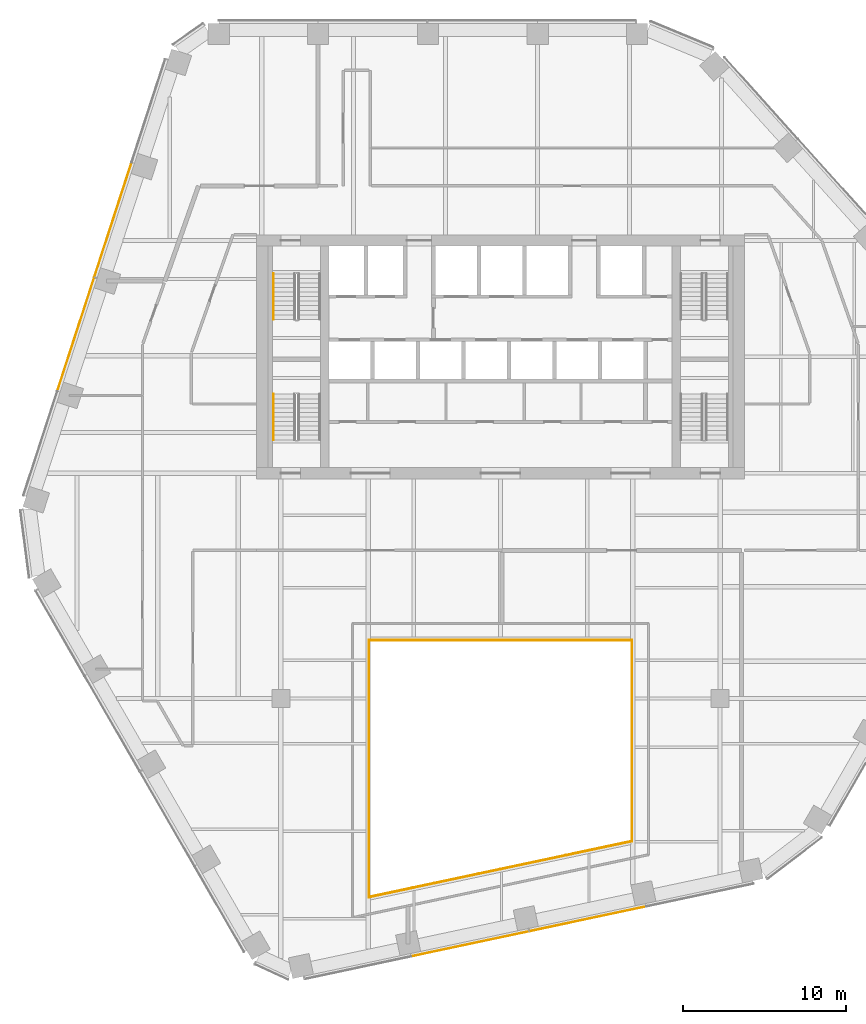
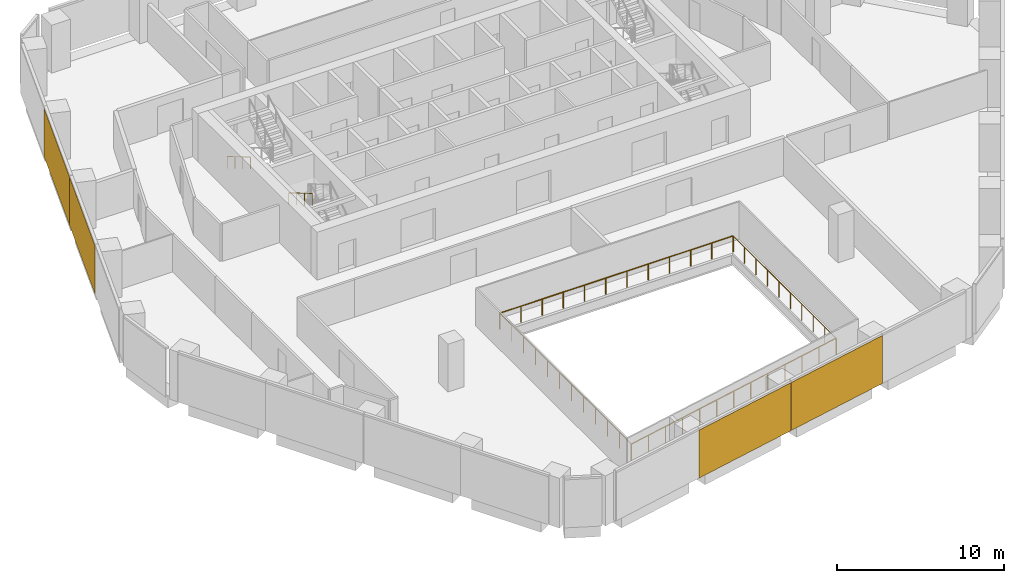
# One storey, part 15 of 17: 6 railings, 4 coverings, 2 elements without a shape of their own.
"""IFC4 building model written with IfcOpenShell, lengths in metres."""

from ifc_helpers import new_model, si_unit, direction, frame, origin, origin_2d, place, context, subcontext, project, spatial, rectangle, circle, extrude, material, layer, layer_set, type_object, element, aggregate, save


model = new_model("IFC4")

# Units and contexts
model_context = context("Model", 3, precision=1e-05, world=origin(), true_north=direction((0.0, 1.0)))
body_context = subcontext(model_context, "Body", "Model", "MODEL_VIEW")
ifc_project = project(units=[si_unit("LENGTHUNIT", "METRE"), si_unit("AREAUNIT", "SQUARE_METRE"), si_unit("VOLUMEUNIT", "CUBIC_METRE"), si_unit("PLANEANGLEUNIT", "RADIAN"), si_unit("MASSUNIT", "GRAM", prefix="KILO")], contexts=[model_context])

# Site, building, storey
site_placement = place(None, origin())
site = spatial("IfcSite", under=ifc_project, at=site_placement, CompositionType="ELEMENT")
building_placement = place(site_placement, origin())
building = spatial("IfcBuilding", under=site, at=building_placement, Name="Isthmus Gate Tower", CompositionType="ELEMENT")
storey_placement = place(building_placement, frame((0.0, 0.0, 181.75)))
storey = spatial("IfcBuildingStorey", under=building, at=storey_placement, Name="L45", CompositionType="ELEMENT", Elevation=181.75)

# Railings
ifc_material_1 = material(Name="Laminated toughened glass balustrade with steel rail", Category="steel")
railing_type_1 = type_object("IfcRailingType", Name="ATRIUM GUARD GLASS BALUSTRADE 1200", PredefinedType="GUARDRAIL", material=ifc_material_1)
railing_1_placement = place(storey_placement, frame((-8.080078125, -25.7099609375, 0.0)))
element("IfcRailing", 1, at=railing_1_placement, inside=storey, type_object=railing_type_1, Name="L45 atrium guard", PredefinedType="GUARDRAIL", context=body_context, shape_type="SweptSolid", body=[
    extrude(circle(Radius=0.02490234375, at=origin_2d()), frame((0.0, 0.0, 1.1748046875), z_axis=(0.0, 1.0, 0.0), x_axis=(-1.0, 0.0, 0.0)), (0.0, 0.0, 1.0), 15.7900390625),
    extrude(circle(Radius=0.02490234375, at=origin_2d()), origin(), (0.0, 0.0, 1.0), 1.14990234375),
    extrude(circle(Radius=0.02490234375, at=origin_2d()), frame((0.0, 1.435546875, 0.0)), (0.0, 0.0, 1.0), 1.14990234375),
    extrude(circle(Radius=0.02490234375, at=origin_2d()), frame((0.0, 2.870849609375, 0.0)), (0.0, 0.0, 1.0), 1.14990234375),
    extrude(circle(Radius=0.02490234375, at=origin_2d()), frame((0.0, 4.306396484375, 0.0)), (0.0, 0.0, 1.0), 1.14990234375),
    extrude(circle(Radius=0.02490234375, at=origin_2d()), frame((0.0, 5.741943359375, 0.0)), (0.0, 0.0, 1.0), 1.14990234375),
    extrude(circle(Radius=0.02490234375, at=origin_2d()), frame((0.0, 7.17724609375, 0.0)), (0.0, 0.0, 1.0), 1.14990234375),
    extrude(circle(Radius=0.02490234375, at=origin_2d()), frame((0.0, 8.61279296875, 0.0)), (0.0, 0.0, 1.0), 1.14990234375),
    extrude(circle(Radius=0.02490234375, at=origin_2d()), frame((0.0, 10.048095703125, 0.0)), (0.0, 0.0, 1.0), 1.14990234375),
    extrude(circle(Radius=0.02490234375, at=origin_2d()), frame((0.0, 11.483642578125, 0.0)), (0.0, 0.0, 1.0), 1.14990234375),
    extrude(circle(Radius=0.02490234375, at=origin_2d()), frame((0.0, 12.919189453125, 0.0)), (0.0, 0.0, 1.0), 1.14990234375),
    extrude(circle(Radius=0.02490234375, at=origin_2d()), frame((0.0, 14.3544921875, 0.0)), (0.0, 0.0, 1.0), 1.14990234375),
    extrude(circle(Radius=0.02490234375, at=origin_2d()), frame((0.0, 15.7900390625, 0.0)), (0.0, 0.0, 1.0), 1.14990234375),
])
railing_2_placement = place(storey_placement, frame((-8.080078125, -9.919921875, 0.0)))
element("IfcRailing", 2, at=railing_2_placement, inside=storey, type_object=railing_type_1, Name="L45 atrium guard", PredefinedType="GUARDRAIL", context=body_context, shape_type="SweptSolid", body=[
    extrude(circle(Radius=0.02490234375, at=origin_2d()), frame((0.0, 0.0, 1.1748046875), z_axis=(1.0, 0.0, 0.0), x_axis=(0.0, 1.0, 0.0)), (0.0, 0.0, 1.0), 16.16015625),
    extrude(circle(Radius=0.02490234375, at=origin_2d()), origin(), (0.0, 0.0, 1.0), 1.14990234375),
    extrude(circle(Radius=0.02490234375, at=origin_2d()), frame((1.468994140625, 0.0, 0.0)), (0.0, 0.0, 1.0), 1.14990234375),
    extrude(circle(Radius=0.02490234375, at=origin_2d()), frame((2.938232421875, 0.0, 0.0)), (0.0, 0.0, 1.0), 1.14990234375),
    extrude(circle(Radius=0.02490234375, at=origin_2d()), frame((4.4072265625, 0.0, 0.0)), (0.0, 0.0, 1.0), 1.14990234375),
    extrude(circle(Radius=0.02490234375, at=origin_2d()), frame((5.87646484375, 0.0, 0.0)), (0.0, 0.0, 1.0), 1.14990234375),
    extrude(circle(Radius=0.02490234375, at=origin_2d()), frame((7.345458984375, 0.0, 0.0)), (0.0, 0.0, 1.0), 1.14990234375),
    extrude(circle(Radius=0.02490234375, at=origin_2d()), frame((8.814697265625, 0.0, 0.0)), (0.0, 0.0, 1.0), 1.14990234375),
    extrude(circle(Radius=0.02490234375, at=origin_2d()), frame((10.28369140625, 0.0, 0.0)), (0.0, 0.0, 1.0), 1.14990234375),
    extrude(circle(Radius=0.02490234375, at=origin_2d()), frame((11.7529296875, 0.0, 0.0)), (0.0, 0.0, 1.0), 1.14990234375),
    extrude(circle(Radius=0.02490234375, at=origin_2d()), frame((13.221923828125, 0.0, 0.0)), (0.0, 0.0, 1.0), 1.14990234375),
    extrude(circle(Radius=0.02490234375, at=origin_2d()), frame((14.691162109375, 0.0, 0.0)), (0.0, 0.0, 1.0), 1.14990234375),
    extrude(circle(Radius=0.02490234375, at=origin_2d()), frame((16.16015625, 0.0, 0.0)), (0.0, 0.0, 1.0), 1.14990234375),
])
railing_3_placement = place(storey_placement, frame((8.080078125, -9.919921875, 0.0)))
element("IfcRailing", 3, at=railing_3_placement, inside=storey, type_object=railing_type_1, Name="L45 atrium guard", PredefinedType="GUARDRAIL", context=body_context, shape_type="SweptSolid", body=[
    extrude(circle(Radius=0.02490234375, at=origin_2d()), frame((0.0, 0.0, 1.1748046875), z_axis=(0.0, -1.0, 0.0), x_axis=(1.0, 0.0, 0.0)), (0.0, 0.0, 1.0), 12.35498046875),
    extrude(circle(Radius=0.02490234375, at=origin_2d()), origin(), (0.0, 0.0, 1.0), 1.14990234375),
    extrude(circle(Radius=0.02490234375, at=origin_2d()), frame((0.0, -1.372802734375, 0.0)), (0.0, 0.0, 1.0), 1.14990234375),
    extrude(circle(Radius=0.02490234375, at=origin_2d()), frame((0.0, -2.74560546875, 0.0)), (0.0, 0.0, 1.0), 1.14990234375),
    extrude(circle(Radius=0.02490234375, at=origin_2d()), frame((0.0, -4.118408203125, 0.0)), (0.0, 0.0, 1.0), 1.14990234375),
    extrude(circle(Radius=0.02490234375, at=origin_2d()), frame((0.0, -5.4912109375, 0.0)), (0.0, 0.0, 1.0), 1.14990234375),
    extrude(circle(Radius=0.02490234375, at=origin_2d()), frame((0.0, -6.86376953125, 0.0)), (0.0, 0.0, 1.0), 1.14990234375),
    extrude(circle(Radius=0.02490234375, at=origin_2d()), frame((0.0, -8.236572265625, 0.0)), (0.0, 0.0, 1.0), 1.14990234375),
    extrude(circle(Radius=0.02490234375, at=origin_2d()), frame((0.0, -9.609375, 0.0)), (0.0, 0.0, 1.0), 1.14990234375),
    extrude(circle(Radius=0.02490234375, at=origin_2d()), frame((0.0, -10.982177734375, 0.0)), (0.0, 0.0, 1.0), 1.14990234375),
    extrude(circle(Radius=0.02490234375, at=origin_2d()), frame((0.0, -12.35498046875, 0.0)), (0.0, 0.0, 1.0), 1.14990234375),
])
railing_4_placement = place(storey_placement, frame((8.080078125, -22.27490234375, 0.0)))
element("IfcRailing", 4, at=railing_4_placement, inside=storey, type_object=railing_type_1, Name="L45 atrium guard", PredefinedType="GUARDRAIL", context=body_context, shape_type="SweptSolid", body=[
    extrude(circle(Radius=0.02490234375, at=origin_2d()), frame((0.0, 0.0, 1.1748046875), z_axis=(-0.978146230105, -0.207918139013, 0.0), x_axis=(0.207918139013, -0.978146230105, 0.0)), (0.0, 0.0, 1.0), 16.521240234375),
    extrude(circle(Radius=0.02490234375, at=origin_2d()), origin(), (0.0, 0.0, 1.0), 1.14990234375),
    extrude(circle(Radius=0.02490234375, at=origin_2d()), frame((-1.3466796875, -0.2861328125, 0.0)), (0.0, 0.0, 1.0), 1.14990234375),
    extrude(circle(Radius=0.02490234375, at=origin_2d()), frame((-2.693359375, -0.572509765625, 0.0)), (0.0, 0.0, 1.0), 1.14990234375),
    extrude(circle(Radius=0.02490234375, at=origin_2d()), frame((-4.0400390625, -0.85888671875, 0.0)), (0.0, 0.0, 1.0), 1.14990234375),
    extrude(circle(Radius=0.02490234375, at=origin_2d()), frame((-5.38671875, -1.14501953125, 0.0)), (0.0, 0.0, 1.0), 1.14990234375),
    extrude(circle(Radius=0.02490234375, at=origin_2d()), frame((-6.7333984375, -1.43115234375, 0.0)), (0.0, 0.0, 1.0), 1.14990234375),
    extrude(circle(Radius=0.02490234375, at=origin_2d()), frame((-8.080078125, -1.717529296875, 0.0)), (0.0, 0.0, 1.0), 1.14990234375),
    extrude(circle(Radius=0.02490234375, at=origin_2d()), frame((-9.4267578125, -2.00390625, 0.0)), (0.0, 0.0, 1.0), 1.14990234375),
    extrude(circle(Radius=0.02490234375, at=origin_2d()), frame((-10.7734375, -2.2900390625, 0.0)), (0.0, 0.0, 1.0), 1.14990234375),
    extrude(circle(Radius=0.02490234375, at=origin_2d()), frame((-12.1201171875, -2.576171875, 0.0)), (0.0, 0.0, 1.0), 1.14990234375),
    extrude(circle(Radius=0.02490234375, at=origin_2d()), frame((-13.466796875, -2.862548828125, 0.0)), (0.0, 0.0, 1.0), 1.14990234375),
    extrude(circle(Radius=0.02490234375, at=origin_2d()), frame((-14.8134765625, -3.14892578125, 0.0)), (0.0, 0.0, 1.0), 1.14990234375),
    extrude(circle(Radius=0.02490234375, at=origin_2d()), frame((-16.16015625, -3.43505859375, 0.0)), (0.0, 0.0, 1.0), 1.14990234375),
])

# Curtain wall, coverings
ifc_material_2 = material(Name="Aluminium, pale champagne anodised", Category="aluminium")
ifc_layer_1 = layer(ifc_material_2, 0.199951171875)
ifc_layer_set_1 = layer_set([ifc_layer_1], Name="CW-1 UNITISED CURTAIN WALL 200 DEEP")
curtain_wall_type = type_object("IfcCurtainWallType", Name="CW-1 UNITISED CURTAIN WALL 200 DEEP", PredefinedType="NOTDEFINED", material=ifc_layer_set_1)
curtain_wall_1_placement = place(storey_placement, origin())
curtain_wall_1 = element("IfcCurtainWall", 5, at=curtain_wall_1_placement, inside=storey, type_object=curtain_wall_type, Name="CW-1 NW L45", PredefinedType="NOTDEFINED")
ifc_material_3 = material(Name="Aluminium composite panel, pale champagne anodised", Category="aluminium")
ifc_layer_2 = layer(ifc_material_3, 0.035888671875)
ifc_layer_set_2 = layer_set([ifc_layer_2], Name="CW-1 PALE METAL PANEL 36")
covering_type = type_object("IfcCoveringType", Name="CW-1 PALE METAL PANEL 36", PredefinedType="CLADDING", material=ifc_layer_set_2)
covering_1_placement = place(storey_placement, frame((-23.813720703125, 15.927490234375, 0.0), z_axis=(0.0, 0.0, 1.0), x_axis=(-0.309016994375, -0.951056516295, 0.0)))
covering_1 = element("IfcCovering", 6, at=covering_1_placement, type_object=covering_type, Name="CW-1 pale metal panel", PredefinedType="CLADDING", context=body_context, shape_type="SweptSolid", body=[
    extrude(rectangle(XDim=7.390869140625, YDim=0.035888671875, at=origin_2d()), origin(), (0.0, 0.0, 1.0), 3.510009765625),
])
covering_2_placement = place(storey_placement, frame((-26.10693359375, 8.8701171875, 0.0), z_axis=(0.0, 0.0, 1.0), x_axis=(-0.309016994375, -0.951056516295, 0.0)))
covering_2 = element("IfcCovering", 7, at=covering_2_placement, type_object=covering_type, Name="CW-1 pale metal panel", PredefinedType="CLADDING", context=body_context, shape_type="SweptSolid", body=[
    extrude(rectangle(XDim=7.330810546875, YDim=0.035888671875, at=origin_2d()), origin(), (0.0, 0.0, 1.0), 3.510009765625),
])
aggregate(curtain_wall_1, [covering_1, covering_2])

curtain_wall_2_placement = place(storey_placement, origin())
curtain_wall_2 = element("IfcCurtainWall", 8, at=curtain_wall_2_placement, inside=storey, type_object=curtain_wall_type, Name="CW-1 S L45", PredefinedType="NOTDEFINED")
covering_3_placement = place(storey_placement, frame((-1.88671875, -28.587158203125, 0.0), z_axis=(0.0, 0.0, 1.0), x_axis=(0.978147600734, 0.207911690818, 0.0)))
covering_3 = element("IfcCovering", 9, at=covering_3_placement, type_object=covering_type, Name="CW-1 pale metal panel", PredefinedType="CLADDING", context=body_context, shape_type="SweptSolid", body=[
    extrude(rectangle(XDim=7.390869140625, YDim=0.035888671875, at=origin_2d()), origin(), (0.0, 0.0, 1.0), 3.510009765625),
])
covering_4_placement = place(storey_placement, frame((5.371826171875, -27.044189453125, 0.0), z_axis=(0.0, 0.0, 1.0), x_axis=(0.978147600734, 0.207911690818, 0.0)))
covering_4 = element("IfcCovering", 10, at=covering_4_placement, type_object=covering_type, Name="CW-1 pale metal panel", PredefinedType="CLADDING", context=body_context, shape_type="SweptSolid", body=[
    extrude(rectangle(XDim=7.330810546875, YDim=0.035888671875, at=origin_2d()), origin(), (0.0, 0.0, 1.0), 3.510009765625),
])
aggregate(curtain_wall_2, [covering_3, covering_4])

# Railings
ifc_material_4 = material(Name="Stainless steel handrail", Category="steel")
railing_type_2 = type_object("IfcRailingType", Name="STAIR HANDRAIL 900", PredefinedType="HANDRAIL", material=ifc_material_4)
for number, where, name in (
    (11, (-13.949951171875, 12.60009765625, 0.166015625), "L45 ST1 stair handrail 1"),
    (12, (-13.949951171875, 5.199951171875, 1.990966796875), "L45 ST7 stair handrail 2"),
):
    element("IfcRailing", number, at=place(storey_placement, frame(where)), inside=storey, type_object=railing_type_2, Name=name, PredefinedType="HANDRAIL", context=body_context, shape_type="SweptSolid", body=[
        extrude(circle(Radius=0.02392578125, at=origin_2d()), frame((0.0, 0.0, 0.8759765625), z_axis=(0.0, -0.860339051648, 0.50972219513), x_axis=(1.0, 0.0, 0.0)), (0.0, 0.0, 1.0), 3.254638671875),
        extrude(circle(Radius=0.02099609375, at=origin_2d()), origin(), (0.0, 0.0, 1.0), 0.851806640625),
        extrude(circle(Radius=0.02099609375, at=origin_2d()), frame((0.0, -0.933349609375, 0.552978515625)), (0.0, 0.0, 1.0), 0.851806640625),
        extrude(circle(Radius=0.02099609375, at=origin_2d()), frame((0.0, -1.86669921875, 1.10595703125)), (0.0, 0.0, 1.0), 0.851806640625),
        extrude(circle(Radius=0.02099609375, at=origin_2d()), frame((0.0, -2.800048828125, 1.658935546875)), (0.0, 0.0, 1.0), 0.851806640625),
    ])

save(model, "model.ifc")
